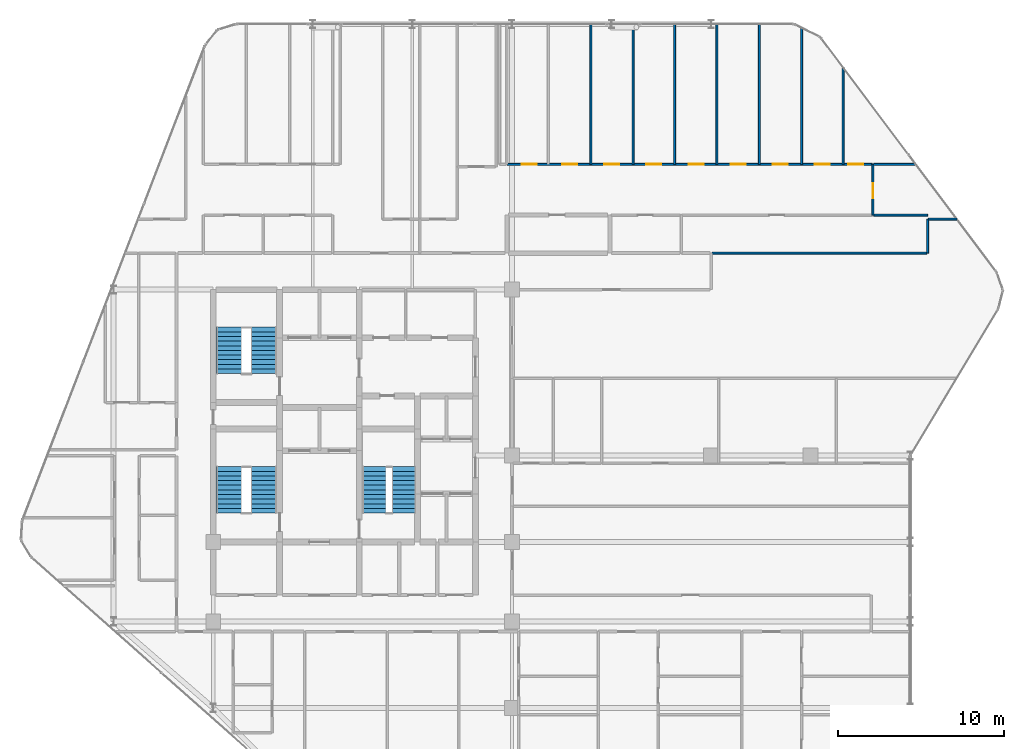
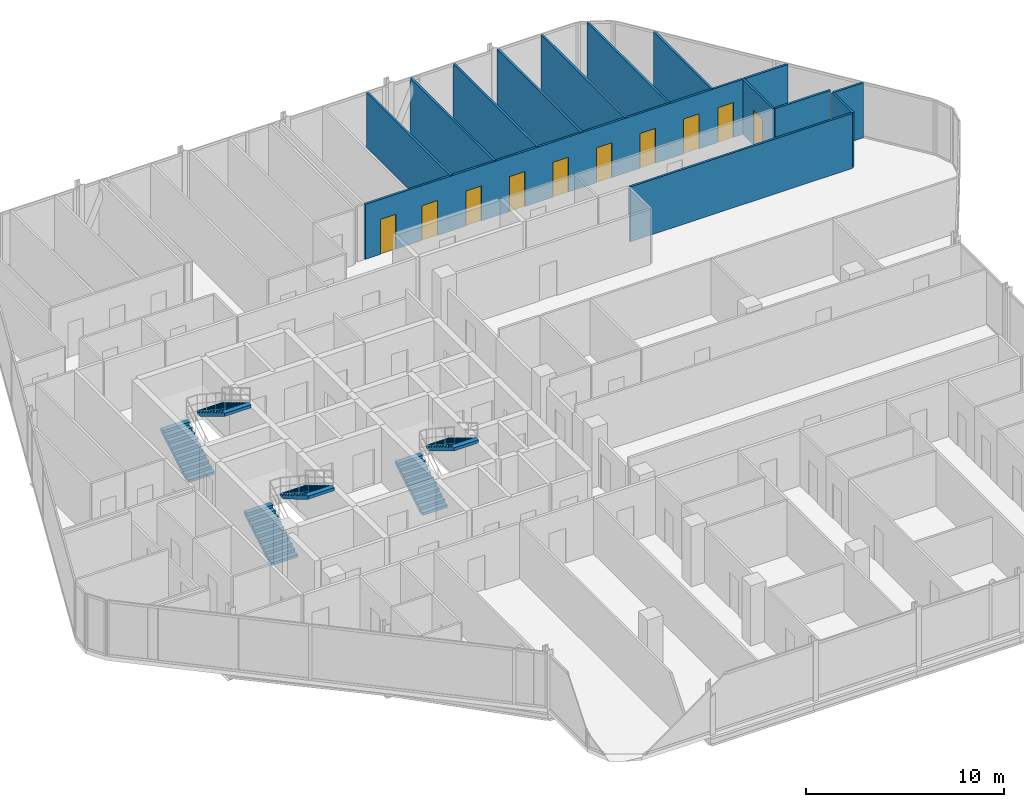
# One storey, part 30 of 31: 14 walls, 10 doors, 6 stair flights, 10 openings, 3 elements without a shape of their own.
"""IFC4 building model written with IfcOpenShell, lengths in metres."""

from ifc_helpers import new_model, si_unit, direction, frame, frame_2d, origin, place, context, subcontext, project, spatial, polyline, rectangle, outline, extrude, material, layer, layer_set, type_object, element, fill, aggregate, save


model = new_model("IFC4")

# Units and contexts
model_context = context("Model", 3, precision=1e-05, world=origin(), true_north=direction((0.0, 1.0)))
body_context = subcontext(model_context, "Body", "Model", "MODEL_VIEW")
ifc_project = project(units=[si_unit("LENGTHUNIT", "METRE"), si_unit("AREAUNIT", "SQUARE_METRE"), si_unit("VOLUMEUNIT", "CUBIC_METRE"), si_unit("PLANEANGLEUNIT", "RADIAN"), si_unit("MASSUNIT", "GRAM", prefix="KILO")], contexts=[model_context])

# Site, building, storey
site_placement = place(None, origin())
site = spatial("IfcSite", under=ifc_project, at=site_placement, CompositionType="ELEMENT")
building_placement = place(site_placement, origin())
building = spatial("IfcBuilding", under=site, at=building_placement, Name="Keshet Zoharim Tower", CompositionType="ELEMENT")
storey_placement = place(building_placement, frame((0.0, 0.0, 144.60009765625)))
storey = spatial("IfcBuildingStorey", under=building, at=storey_placement, Name="L35", CompositionType="ELEMENT", Elevation=144.60009765625)

# Walls
ifc_material_1 = material(Name="Gypsum Plasterboard", Category="gypsum")
ifc_layer = layer(ifc_material_1, 0.1201171875)
ifc_layer_set = layer_set([ifc_layer], Name="Gypsum Plasterboard")
wall_type = type_object("IfcWallType", Name="WL-PART-120", PredefinedType="PARTITIONING", material=ifc_layer_set)
for number, where, z_axis, x_axis, name in (
    (1, (37.75, 45.449951171875, 0.0), (0.0, 0.0, 1.0), (0.0, 1.0, 0.0), "L35 Interior Wall 078"),
    (2, (40.300048828125, 45.449951171875, 0.0), (0.0, 0.0, 1.0), (0.0, 1.0, 0.0), "L35 Interior Wall 084"),
    (3, (42.800048828125, 45.449951171875, 0.0), (0.0, 0.0, 1.0), (0.0, 1.0, 0.0), "L35 Interior Wall 088"),
    (4, (45.35009765625, 45.449951171875, 0.0), (0.0, 0.0, 1.0), (0.0, 1.0, 0.0), "L35 Interior Wall 091"),
    (5, (47.89990234375, 45.449951171875, 0.0), (0.0, 0.0, 1.0), (0.0, 1.0, 0.0), "L35 Interior Wall 096"),
):
    element("IfcWall", number, at=place(storey_placement, frame(where, z_axis=z_axis, x_axis=x_axis)), inside=storey, type_object=wall_type, Name=name, PredefinedType="PARTITIONING", context=body_context, shape_type="SweptSolid", body=[
        extrude(rectangle(XDim=8.43994140625, YDim=0.1201171875, at=frame_2d((4.219970703125, 0.0))), origin(), (0.0, 0.0, 1.0), 3.385009765625),
    ])
wall_1_placement = place(storey_placement, frame((50.449951171875, 45.449951171875, 0.0), z_axis=(0.0, 0.0, 1.0), x_axis=(0.0, 1.0, 0.0)))
element("IfcWall", 6, at=wall_1_placement, inside=storey, type_object=wall_type, Name="L35 Interior Wall 100", PredefinedType="PARTITIONING", context=body_context, shape_type="SweptSolid", body=[
    extrude(rectangle(XDim=8.215087890625, YDim=0.1201171875, at=frame_2d((4.107421875, 0.0))), origin(), (0.0, 0.0, 1.0), 3.385009765625),
])
wall_2_placement = place(storey_placement, frame((52.949951171875, 45.449951171875, 0.0), z_axis=(0.0, 0.0, 1.0), x_axis=(0.0, 1.0, 0.0)))
element("IfcWall", 7, at=wall_2_placement, inside=storey, type_object=wall_type, Name="L35 Interior Wall 102", PredefinedType="PARTITIONING", context=body_context, shape_type="SweptSolid", body=[
    extrude(rectangle(XDim=5.840087890625, YDim=0.1201171875, at=frame_2d((2.919921875, 0.0))), origin(), (0.0, 0.0, 1.0), 3.385009765625),
])

# Wall, opening, door
wall_3_placement = place(storey_placement, frame((54.75, 42.39990234375, 0.0), z_axis=(0.0, 0.0, 1.0), x_axis=(0.0, 1.0, 0.0)))
wall_3 = element("IfcWall", 8, at=wall_3_placement, inside=storey, type_object=wall_type, Name="L35 Interior Wall 104", PredefinedType="PARTITIONING", context=body_context, shape_type="SweptSolid", body=[
    extrude(rectangle(XDim=3.050048828125, YDim=0.1201171875, at=frame_2d((1.52490234375, 0.0))), origin(), (0.0, 0.0, 1.0), 3.385009765625),
])
opening_1_placement = place(wall_3_placement, frame((1.0029296875, 0.0, 0.0)))
opening_1 = element("IfcOpeningElement", 9, at=opening_1_placement, cuts=wall_3, Name="Opening D-IN90", PredefinedType="OPENING", context=body_context, shape_type="SweptSolid", body=[
    extrude(rectangle(XDim=0.89990234375, YDim=2.14990234375, at=frame_2d((0.449951171875, 1.074951171875))), frame((0.0, 0.070068359375, 0.0), z_axis=(0.0, -1.0, 0.0), x_axis=(1.0, 0.0, 0.0)), (0.0, 0.0, 1.0), 0.14013671875),
])
ifc_material_2 = material(Name="Hardwood Timber", Category="wood")
door_type = type_object("IfcDoorType", Name="DR-INT-090", OperationType="NOTDEFINED", PredefinedType="DOOR", material=ifc_material_2)
door_1_placement = place(opening_1_placement, origin())
door_1 = element("IfcDoor", 10, at=door_1_placement, inside=storey, type_object=door_type, Name="Apartment 3506 Private Reading Room Door", OperationType="SINGLE_SWING_RIGHT", OverallHeight=2.14990234375, OverallWidth=0.89990234375, PredefinedType="DOOR", context=body_context, shape_type="SweptSolid", body=[
    extrude(rectangle(XDim=0.89990234375, YDim=2.14990234375, at=frame_2d((0.449951171875, 1.074951171875))), frame((0.0, 0.02490234375, 0.0), z_axis=(0.0, -1.0, 0.0), x_axis=(1.0, 0.0, 0.0)), (0.0, 0.0, 1.0), 0.050048828125),
])
fill(opening_1, door_1)

# Walls
wall_4_placement = place(storey_placement, frame((58.050048828125, 40.10009765625, 0.0), z_axis=(0.0, 0.0, 1.0), x_axis=(0.0, 1.0, 0.0)))
element("IfcWall", 11, at=wall_4_placement, inside=storey, type_object=wall_type, Name="L35 Interior Wall 105", PredefinedType="PARTITIONING", context=body_context, shape_type="SweptSolid", body=[
    extrude(rectangle(XDim=2.0498046875, YDim=0.1201171875, at=frame_2d((1.02490234375, 0.0))), origin(), (0.0, 0.0, 1.0), 3.385009765625),
])
wall_5_placement = place(storey_placement, frame((45.06005859375, 40.10009765625, 0.0), z_axis=(0.0, 0.0, 1.0), x_axis=(1.0, 0.0, 0.0)))
element("IfcWall", 12, at=wall_5_placement, inside=storey, type_object=wall_type, Name="L35 Interior Wall 185", PredefinedType="PARTITIONING", context=body_context, shape_type="SweptSolid", body=[
    extrude(rectangle(XDim=12.931884765625, YDim=0.1201171875, at=frame_2d((6.4658203125, 0.0))), origin(), (0.0, 0.0, 1.0), 3.385009765625),
])
wall_6_placement = place(storey_placement, frame((58.0830078125, 42.14990234375, 0.0), z_axis=(0.0, 0.0, 1.0), x_axis=(1.0, 0.0, 0.0)))
element("IfcWall", 13, at=wall_6_placement, inside=storey, type_object=wall_type, Name="L35 Interior Wall 188", PredefinedType="PARTITIONING", context=body_context, shape_type="SweptSolid", body=[
    extrude(rectangle(XDim=1.719970703125, YDim=0.1201171875, at=frame_2d((0.85986328125, 0.0))), origin(), (0.0, 0.0, 1.0), 3.385009765625),
])
wall_7_placement = place(storey_placement, frame((54.794921875, 42.39990234375, 0.0), z_axis=(0.0, 0.0, 1.0), x_axis=(1.0, 0.0, 0.0)))
element("IfcWall", 14, at=wall_7_placement, inside=storey, type_object=wall_type, Name="L35 Interior Wall 194", PredefinedType="PARTITIONING", context=body_context, shape_type="SweptSolid", body=[
    extrude(rectangle(XDim=3.2431640625, YDim=0.1201171875, at=frame_2d((1.62158203125, 0.0))), origin(), (0.0, 0.0, 1.0), 3.385009765625),
])

# Wall, openings, doors
wall_8_placement = place(storey_placement, frame((32.72509765625, 45.449951171875, 0.0), z_axis=(0.0, 0.0, 1.0), x_axis=(1.0, 0.0, 0.0)))
wall_8 = element("IfcWall", 15, at=wall_8_placement, inside=storey, type_object=wall_type, Name="L35 Interior Wall 199", PredefinedType="PARTITIONING", context=body_context, shape_type="SweptSolid", body=[
    extrude(rectangle(XDim=21.97998046875, YDim=0.1201171875, at=frame_2d((10.989990234375, 0.0))), origin(), (0.0, 0.0, 1.0), 3.385009765625),
])
opening_2_placement = place(wall_8_placement, frame((0.8720703125, 0.0, 0.0)))
opening_2 = element("IfcOpeningElement", 16, at=opening_2_placement, cuts=wall_8, Name="Opening D-IN90", PredefinedType="OPENING", context=body_context, shape_type="SweptSolid", body=[
    extrude(rectangle(XDim=0.89990234375, YDim=2.14990234375, at=frame_2d((0.449951171875, 1.074951171875))), frame((0.0, 0.070068359375, 0.0), z_axis=(0.0, -1.0, 0.0), x_axis=(1.0, 0.0, 0.0)), (0.0, 0.0, 1.0), 0.14013671875),
])
opening_3_placement = place(wall_8_placement, frame((3.30908203125, 0.0, 0.0)))
opening_3 = element("IfcOpeningElement", 17, at=opening_3_placement, cuts=wall_8, Name="Opening D-IN90", PredefinedType="OPENING", context=body_context, shape_type="SweptSolid", body=[
    extrude(rectangle(XDim=0.89990234375, YDim=2.14990234375, at=frame_2d((0.449951171875, 1.074951171875))), frame((0.0, 0.070068359375, 0.0), z_axis=(0.0, -1.0, 0.0), x_axis=(1.0, 0.0, 0.0)), (0.0, 0.0, 1.0), 0.14013671875),
])
opening_4_placement = place(wall_8_placement, frame((5.844970703125, 0.0, 0.0)))
opening_4 = element("IfcOpeningElement", 18, at=opening_4_placement, cuts=wall_8, Name="Opening D-IN90", PredefinedType="OPENING", context=body_context, shape_type="SweptSolid", body=[
    extrude(rectangle(XDim=0.89990234375, YDim=2.14990234375, at=frame_2d((0.449951171875, 1.074951171875))), frame((0.0, 0.070068359375, 0.0), z_axis=(0.0, -1.0, 0.0), x_axis=(1.0, 0.0, 0.0)), (0.0, 0.0, 1.0), 0.14013671875),
])
opening_5_placement = place(wall_8_placement, frame((8.3798828125, 0.0, 0.0)))
opening_5 = element("IfcOpeningElement", 19, at=opening_5_placement, cuts=wall_8, Name="Opening D-IN90", PredefinedType="OPENING", context=body_context, shape_type="SweptSolid", body=[
    extrude(rectangle(XDim=0.89990234375, YDim=2.14990234375, at=frame_2d((0.449951171875, 1.074951171875))), frame((0.0, 0.070068359375, 0.0), z_axis=(0.0, -1.0, 0.0), x_axis=(1.0, 0.0, 0.0)), (0.0, 0.0, 1.0), 0.14013671875),
])
opening_6_placement = place(wall_8_placement, frame((10.916015625, 0.0, 0.0)))
opening_6 = element("IfcOpeningElement", 20, at=opening_6_placement, cuts=wall_8, Name="Opening D-IN90", PredefinedType="OPENING", context=body_context, shape_type="SweptSolid", body=[
    extrude(rectangle(XDim=0.89990234375, YDim=2.14990234375, at=frame_2d((0.449951171875, 1.074951171875))), frame((0.0, 0.070068359375, 0.0), z_axis=(0.0, -1.0, 0.0), x_axis=(1.0, 0.0, 0.0)), (0.0, 0.0, 1.0), 0.14013671875),
])
opening_7_placement = place(wall_8_placement, frame((13.451904296875, 0.0, 0.0)))
opening_7 = element("IfcOpeningElement", 21, at=opening_7_placement, cuts=wall_8, Name="Opening D-IN90", PredefinedType="OPENING", context=body_context, shape_type="SweptSolid", body=[
    extrude(rectangle(XDim=0.89990234375, YDim=2.14990234375, at=frame_2d((0.449951171875, 1.074951171875))), frame((0.0, 0.070068359375, 0.0), z_axis=(0.0, -1.0, 0.0), x_axis=(1.0, 0.0, 0.0)), (0.0, 0.0, 1.0), 0.14013671875),
])
opening_8_placement = place(wall_8_placement, frame((15.988037109375, 0.0, 0.0)))
opening_8 = element("IfcOpeningElement", 22, at=opening_8_placement, cuts=wall_8, Name="Opening D-IN90", PredefinedType="OPENING", context=body_context, shape_type="SweptSolid", body=[
    extrude(rectangle(XDim=0.89990234375, YDim=2.14990234375, at=frame_2d((0.449951171875, 1.074951171875))), frame((0.0, 0.070068359375, 0.0), z_axis=(0.0, -1.0, 0.0), x_axis=(1.0, 0.0, 0.0)), (0.0, 0.0, 1.0), 0.14013671875),
])
opening_9_placement = place(wall_8_placement, frame((18.52392578125, 0.0, 0.0)))
opening_9 = element("IfcOpeningElement", 23, at=opening_9_placement, cuts=wall_8, Name="Opening D-IN90", PredefinedType="OPENING", context=body_context, shape_type="SweptSolid", body=[
    extrude(rectangle(XDim=0.89990234375, YDim=2.14990234375, at=frame_2d((0.449951171875, 1.074951171875))), frame((0.0, 0.070068359375, 0.0), z_axis=(0.0, -1.0, 0.0), x_axis=(1.0, 0.0, 0.0)), (0.0, 0.0, 1.0), 0.14013671875),
])
opening_10_placement = place(wall_8_placement, frame((20.527099609375, 0.0, 0.0)))
opening_10 = element("IfcOpeningElement", 24, at=opening_10_placement, cuts=wall_8, Name="Opening D-IN90", PredefinedType="OPENING", context=body_context, shape_type="SweptSolid", body=[
    extrude(rectangle(XDim=0.89990234375, YDim=2.14990234375, at=frame_2d((0.449951171875, 1.074951171875))), frame((0.0, 0.070068359375, 0.0), z_axis=(0.0, -1.0, 0.0), x_axis=(1.0, 0.0, 0.0)), (0.0, 0.0, 1.0), 0.14013671875),
])
door_2_placement = place(opening_2_placement, origin())
door_2 = element("IfcDoor", 25, at=door_2_placement, inside=storey, type_object=door_type, Name="Apartment 3506 Bedroom 1 Door", OperationType="SINGLE_SWING_LEFT", OverallHeight=2.14990234375, OverallWidth=0.89990234375, PredefinedType="DOOR", context=body_context, shape_type="SweptSolid", body=[
    extrude(rectangle(XDim=0.89990234375, YDim=2.14990234375, at=frame_2d((0.449951171875, 1.074951171875))), frame((0.0, 0.02490234375, 0.0), z_axis=(0.0, -1.0, 0.0), x_axis=(1.0, 0.0, 0.0)), (0.0, 0.0, 1.0), 0.050048828125),
])
fill(opening_2, door_2)
door_3_placement = place(opening_3_placement, origin())
door_3 = element("IfcDoor", 26, at=door_3_placement, inside=storey, type_object=door_type, Name="Apartment 3506 Bedroom 2 Door", OperationType="SINGLE_SWING_RIGHT", OverallHeight=2.14990234375, OverallWidth=0.89990234375, PredefinedType="DOOR", context=body_context, shape_type="SweptSolid", body=[
    extrude(rectangle(XDim=0.89990234375, YDim=2.14990234375, at=frame_2d((0.449951171875, 1.074951171875))), frame((0.0, 0.02490234375, 0.0), z_axis=(0.0, -1.0, 0.0), x_axis=(1.0, 0.0, 0.0)), (0.0, 0.0, 1.0), 0.050048828125),
])
fill(opening_3, door_3)
door_4_placement = place(opening_4_placement, origin())
door_4 = element("IfcDoor", 27, at=door_4_placement, inside=storey, type_object=door_type, Name="Apartment 3506 Bedroom 3 Door", OperationType="SINGLE_SWING_LEFT", OverallHeight=2.14990234375, OverallWidth=0.89990234375, PredefinedType="DOOR", context=body_context, shape_type="SweptSolid", body=[
    extrude(rectangle(XDim=0.89990234375, YDim=2.14990234375, at=frame_2d((0.449951171875, 1.074951171875))), frame((0.0, 0.02490234375, 0.0), z_axis=(0.0, -1.0, 0.0), x_axis=(1.0, 0.0, 0.0)), (0.0, 0.0, 1.0), 0.050048828125),
])
fill(opening_4, door_4)
door_5_placement = place(opening_5_placement, origin())
door_5 = element("IfcDoor", 28, at=door_5_placement, inside=storey, type_object=door_type, Name="Apartment 3506 Bedroom 4 Door", OperationType="SINGLE_SWING_RIGHT", OverallHeight=2.14990234375, OverallWidth=0.89990234375, PredefinedType="DOOR", context=body_context, shape_type="SweptSolid", body=[
    extrude(rectangle(XDim=0.89990234375, YDim=2.14990234375, at=frame_2d((0.449951171875, 1.074951171875))), frame((0.0, 0.02490234375, 0.0), z_axis=(0.0, -1.0, 0.0), x_axis=(1.0, 0.0, 0.0)), (0.0, 0.0, 1.0), 0.050048828125),
])
fill(opening_5, door_5)
door_6_placement = place(opening_6_placement, origin())
door_6 = element("IfcDoor", 29, at=door_6_placement, inside=storey, type_object=door_type, Name="Apartment 3506 Bedroom 5 Door", OperationType="SINGLE_SWING_LEFT", OverallHeight=2.14990234375, OverallWidth=0.89990234375, PredefinedType="DOOR", context=body_context, shape_type="SweptSolid", body=[
    extrude(rectangle(XDim=0.89990234375, YDim=2.14990234375, at=frame_2d((0.449951171875, 1.074951171875))), frame((0.0, 0.02490234375, 0.0), z_axis=(0.0, -1.0, 0.0), x_axis=(1.0, 0.0, 0.0)), (0.0, 0.0, 1.0), 0.050048828125),
])
fill(opening_6, door_6)
door_7_placement = place(opening_7_placement, origin())
door_7 = element("IfcDoor", 30, at=door_7_placement, inside=storey, type_object=door_type, Name="Apartment 3506 Bedroom 6 Door", OperationType="SINGLE_SWING_RIGHT", OverallHeight=2.14990234375, OverallWidth=0.89990234375, PredefinedType="DOOR", context=body_context, shape_type="SweptSolid", body=[
    extrude(rectangle(XDim=0.89990234375, YDim=2.14990234375, at=frame_2d((0.449951171875, 1.074951171875))), frame((0.0, 0.02490234375, 0.0), z_axis=(0.0, -1.0, 0.0), x_axis=(1.0, 0.0, 0.0)), (0.0, 0.0, 1.0), 0.050048828125),
])
fill(opening_7, door_7)
door_8_placement = place(opening_8_placement, origin())
door_8 = element("IfcDoor", 31, at=door_8_placement, inside=storey, type_object=door_type, Name="Apartment 3506 Bedroom 7 Door", OperationType="SINGLE_SWING_LEFT", OverallHeight=2.14990234375, OverallWidth=0.89990234375, PredefinedType="DOOR", context=body_context, shape_type="SweptSolid", body=[
    extrude(rectangle(XDim=0.89990234375, YDim=2.14990234375, at=frame_2d((0.449951171875, 1.074951171875))), frame((0.0, 0.02490234375, 0.0), z_axis=(0.0, -1.0, 0.0), x_axis=(1.0, 0.0, 0.0)), (0.0, 0.0, 1.0), 0.050048828125),
])
fill(opening_8, door_8)
door_9_placement = place(opening_9_placement, origin())
door_9 = element("IfcDoor", 32, at=door_9_placement, inside=storey, type_object=door_type, Name="Apartment 3506 Bedroom 8 Door", OperationType="SINGLE_SWING_RIGHT", OverallHeight=2.14990234375, OverallWidth=0.89990234375, PredefinedType="DOOR", context=body_context, shape_type="SweptSolid", body=[
    extrude(rectangle(XDim=0.89990234375, YDim=2.14990234375, at=frame_2d((0.449951171875, 1.074951171875))), frame((0.0, 0.02490234375, 0.0), z_axis=(0.0, -1.0, 0.0), x_axis=(1.0, 0.0, 0.0)), (0.0, 0.0, 1.0), 0.050048828125),
])
fill(opening_9, door_9)
door_10_placement = place(opening_10_placement, origin())
door_10 = element("IfcDoor", 33, at=door_10_placement, inside=storey, type_object=door_type, Name="Apartment 3506 Bedroom 9 Door", OperationType="SINGLE_SWING_LEFT", OverallHeight=2.14990234375, OverallWidth=0.89990234375, PredefinedType="DOOR", context=body_context, shape_type="SweptSolid", body=[
    extrude(rectangle(XDim=0.89990234375, YDim=2.14990234375, at=frame_2d((0.449951171875, 1.074951171875))), frame((0.0, 0.02490234375, 0.0), z_axis=(0.0, -1.0, 0.0), x_axis=(1.0, 0.0, 0.0)), (0.0, 0.0, 1.0), 0.050048828125),
])
fill(opening_10, door_10)

# Wall
wall_9_placement = place(storey_placement, frame((54.794921875, 45.449951171875, 0.0), z_axis=(0.0, 0.0, 1.0), x_axis=(1.0, 0.0, 0.0)))
element("IfcWall", 34, at=wall_9_placement, inside=storey, type_object=wall_type, Name="L35 Interior Wall 200", PredefinedType="PARTITIONING", context=body_context, shape_type="SweptSolid", body=[
    extrude(rectangle(XDim=2.532958984375, YDim=0.1201171875, at=frame_2d((1.2666015625, 0.0))), origin(), (0.0, 0.0, 1.0), 3.385009765625),
])

# Stair, stair flights
ifc_material_3 = material(Name="Concrete C50/60", Category="concrete")
stair_type = type_object("IfcStairType", Name="STR-EXIT-135", PredefinedType="HALF_TURN_STAIR", material=ifc_material_3)
stair_1_placement = place(storey_placement, origin())
stair_1 = element("IfcStair", 35, at=stair_1_placement, inside=storey, type_object=stair_type, Name="L35 Enclosed Exit Stair ST-01", PredefinedType="HALF_TURN_STAIR")
stair_flight_type_1 = type_object("IfcStairFlightType", Name="FLT-PRE-135", PredefinedType="STRAIGHT", material=ifc_material_3)
stair_flight_1_placement = place(storey_placement, frame((15.945068359375, 24.43994140625, 0.0), z_axis=(0.0, 0.0, 1.0), x_axis=(0.0, 1.0, 0.0)))
stair_flight_1 = element("IfcStairFlight", 36, at=stair_flight_1_placement, type_object=stair_flight_type_1, Name="ST-01 flight 1", NumberOfRisers=11, NumberOfTreads=10, PredefinedType="STRAIGHT", RiserHeight=0.168182, TreadLength=0.28, context=body_context, shape_type="SweptSolid", body=[
    extrude(outline(polyline([(0.0, 0.0), (0.0, 0.168212890625), (0.280029296875, 0.168212890625), (0.280029296875, 0.33642578125), (0.56005859375, 0.33642578125), (0.56005859375, 0.504638671875), (0.840087890625, 0.504638671875), (0.840087890625, 0.672607421875), (1.1201171875, 0.672607421875), (1.1201171875, 0.8408203125), (1.39990234375, 0.8408203125), (1.39990234375, 1.009033203125), (1.679931640625, 1.009033203125), (1.679931640625, 1.17724609375), (1.9599609375, 1.17724609375), (1.9599609375, 1.345458984375), (2.239990234375, 1.345458984375), (2.239990234375, 1.513671875), (2.52001953125, 1.513671875), (2.52001953125, 1.681884765625), (2.800048828125, 1.681884765625), (2.800048828125, 1.85009765625), (2.800048828125, 1.495361328125), (0.310546875, 0.0), (0.0, 0.0)])), frame((0.0, 0.76513671875, 0.0), z_axis=(0.0, -1.0, 0.0), x_axis=(1.0, 0.0, 0.0)), (0.0, 0.0, 1.0), 1.530029296875),
])
stair_flight_2_placement = place(storey_placement, frame((18.054931640625, 27.239990234375, 1.849853515625), z_axis=(0.0, 0.0, 1.0), x_axis=(0.0, -1.0, 0.0)))
stair_flight_2 = element("IfcStairFlight", 37, at=stair_flight_2_placement, type_object=stair_flight_type_1, Name="ST-01 flight 2", NumberOfRisers=11, NumberOfTreads=10, PredefinedType="STRAIGHT", RiserHeight=0.168182, TreadLength=0.28, context=body_context, shape_type="SweptSolid", body=[
    extrude(outline(polyline([(0.0, 0.0), (0.0, 0.168212890625), (0.280029296875, 0.168212890625), (0.280029296875, 0.33642578125), (0.56005859375, 0.33642578125), (0.56005859375, 0.504638671875), (0.840087890625, 0.504638671875), (0.840087890625, 0.672607421875), (1.1201171875, 0.672607421875), (1.1201171875, 0.8408203125), (1.39990234375, 0.8408203125), (1.39990234375, 1.009033203125), (1.679931640625, 1.009033203125), (1.679931640625, 1.17724609375), (1.9599609375, 1.17724609375), (1.9599609375, 1.345458984375), (2.239990234375, 1.345458984375), (2.239990234375, 1.513671875), (2.52001953125, 1.513671875), (2.52001953125, 1.681884765625), (2.800048828125, 1.681884765625), (2.800048828125, 1.85009765625), (2.800048828125, 1.495361328125), (0.310546875, 0.0), (0.0, 0.0)])), frame((0.0, 0.76513671875, 0.0), z_axis=(0.0, -1.0, 0.0), x_axis=(1.0, 0.0, 0.0)), (0.0, 0.0, 1.0), 1.530029296875),
])
aggregate(stair_1, [stair_flight_1, stair_flight_2])

stair_2_placement = place(storey_placement, origin())
stair_2 = element("IfcStair", 38, at=stair_2_placement, inside=storey, type_object=stair_type, Name="L35 Enclosed Exit Stair ST-02", PredefinedType="HALF_TURN_STAIR")
stair_flight_3_placement = place(storey_placement, frame((15.945068359375, 32.840087890625, 0.0), z_axis=(0.0, 0.0, 1.0), x_axis=(0.0, 1.0, 0.0)))
stair_flight_3 = element("IfcStairFlight", 39, at=stair_flight_3_placement, type_object=stair_flight_type_1, Name="ST-02 flight 1", NumberOfRisers=11, NumberOfTreads=10, PredefinedType="STRAIGHT", RiserHeight=0.168182, TreadLength=0.28, context=body_context, shape_type="SweptSolid", body=[
    extrude(outline(polyline([(0.0, 0.0), (0.0, 0.168212890625), (0.280029296875, 0.168212890625), (0.280029296875, 0.33642578125), (0.56005859375, 0.33642578125), (0.56005859375, 0.504638671875), (0.840087890625, 0.504638671875), (0.840087890625, 0.672607421875), (1.1201171875, 0.672607421875), (1.1201171875, 0.8408203125), (1.39990234375, 0.8408203125), (1.39990234375, 1.009033203125), (1.679931640625, 1.009033203125), (1.679931640625, 1.17724609375), (1.9599609375, 1.17724609375), (1.9599609375, 1.345458984375), (2.239990234375, 1.345458984375), (2.239990234375, 1.513671875), (2.52001953125, 1.513671875), (2.52001953125, 1.681884765625), (2.800048828125, 1.681884765625), (2.800048828125, 1.85009765625), (2.800048828125, 1.495361328125), (0.310546875, 0.0), (0.0, 0.0)])), frame((0.0, 0.76513671875, 0.0), z_axis=(0.0, -1.0, 0.0), x_axis=(1.0, 0.0, 0.0)), (0.0, 0.0, 1.0), 1.530029296875),
])
stair_flight_4_placement = place(storey_placement, frame((18.054931640625, 35.639892578125, 1.849853515625), z_axis=(0.0, 0.0, 1.0), x_axis=(0.0, -1.0, 0.0)))
stair_flight_4 = element("IfcStairFlight", 40, at=stair_flight_4_placement, type_object=stair_flight_type_1, Name="ST-02 flight 2", NumberOfRisers=11, NumberOfTreads=10, PredefinedType="STRAIGHT", RiserHeight=0.168182, TreadLength=0.28, context=body_context, shape_type="SweptSolid", body=[
    extrude(outline(polyline([(0.0, 0.0), (0.0, 0.168212890625), (0.280029296875, 0.168212890625), (0.280029296875, 0.33642578125), (0.56005859375, 0.33642578125), (0.56005859375, 0.504638671875), (0.840087890625, 0.504638671875), (0.840087890625, 0.672607421875), (1.1201171875, 0.672607421875), (1.1201171875, 0.8408203125), (1.39990234375, 0.8408203125), (1.39990234375, 1.009033203125), (1.679931640625, 1.009033203125), (1.679931640625, 1.17724609375), (1.9599609375, 1.17724609375), (1.9599609375, 1.345458984375), (2.239990234375, 1.345458984375), (2.239990234375, 1.513671875), (2.52001953125, 1.513671875), (2.52001953125, 1.681884765625), (2.800048828125, 1.681884765625), (2.800048828125, 1.85009765625), (2.800048828125, 1.495361328125), (0.310546875, 0.0), (0.0, 0.0)])), frame((0.0, 0.76513671875, 0.0), z_axis=(0.0, -1.0, 0.0), x_axis=(1.0, 0.0, 0.0)), (0.0, 0.0, 1.0), 1.530029296875),
])
aggregate(stair_2, [stair_flight_3, stair_flight_4])

stair_3_placement = place(storey_placement, origin())
stair_3 = element("IfcStair", 41, at=stair_3_placement, inside=storey, type_object=stair_type, Name="L35 Enclosed Exit Stair ST-03", PredefinedType="HALF_TURN_STAIR")
stair_flight_type_2 = type_object("IfcStairFlightType", Name="FLT-PRE-144", PredefinedType="STRAIGHT", material=ifc_material_3)
stair_flight_5_placement = place(storey_placement, frame((24.699951171875, 24.43994140625, 0.0), z_axis=(0.0, 0.0, 1.0), x_axis=(0.0, 1.0, 0.0)))
stair_flight_5 = element("IfcStairFlight", 42, at=stair_flight_5_placement, type_object=stair_flight_type_2, Name="ST-03 flight 1", NumberOfRisers=11, NumberOfTreads=10, PredefinedType="STRAIGHT", RiserHeight=0.168182, TreadLength=0.28, context=body_context, shape_type="SweptSolid", body=[
    extrude(outline(polyline([(0.0, 0.0), (0.0, 0.168212890625), (0.280029296875, 0.168212890625), (0.280029296875, 0.33642578125), (0.56005859375, 0.33642578125), (0.56005859375, 0.504638671875), (0.840087890625, 0.504638671875), (0.840087890625, 0.672607421875), (1.1201171875, 0.672607421875), (1.1201171875, 0.8408203125), (1.39990234375, 0.8408203125), (1.39990234375, 1.009033203125), (1.679931640625, 1.009033203125), (1.679931640625, 1.17724609375), (1.9599609375, 1.17724609375), (1.9599609375, 1.345458984375), (2.239990234375, 1.345458984375), (2.239990234375, 1.513671875), (2.52001953125, 1.513671875), (2.52001953125, 1.681884765625), (2.800048828125, 1.681884765625), (2.800048828125, 1.85009765625), (2.800048828125, 1.495361328125), (0.310546875, 0.0), (0.0, 0.0)])), frame((0.0, 0.719970703125, 0.0), z_axis=(0.0, -1.0, 0.0), x_axis=(1.0, 0.0, 0.0)), (0.0, 0.0, 1.0), 1.43994140625),
])
stair_flight_6_placement = place(storey_placement, frame((26.5, 27.239990234375, 1.849853515625), z_axis=(0.0, 0.0, 1.0), x_axis=(0.0, -1.0, 0.0)))
stair_flight_6 = element("IfcStairFlight", 43, at=stair_flight_6_placement, type_object=stair_flight_type_2, Name="ST-03 flight 2", NumberOfRisers=11, NumberOfTreads=10, PredefinedType="STRAIGHT", RiserHeight=0.168182, TreadLength=0.28, context=body_context, shape_type="SweptSolid", body=[
    extrude(outline(polyline([(0.0, 0.0), (0.0, 0.168212890625), (0.280029296875, 0.168212890625), (0.280029296875, 0.33642578125), (0.56005859375, 0.33642578125), (0.56005859375, 0.504638671875), (0.840087890625, 0.504638671875), (0.840087890625, 0.672607421875), (1.1201171875, 0.672607421875), (1.1201171875, 0.8408203125), (1.39990234375, 0.8408203125), (1.39990234375, 1.009033203125), (1.679931640625, 1.009033203125), (1.679931640625, 1.17724609375), (1.9599609375, 1.17724609375), (1.9599609375, 1.345458984375), (2.239990234375, 1.345458984375), (2.239990234375, 1.513671875), (2.52001953125, 1.513671875), (2.52001953125, 1.681884765625), (2.800048828125, 1.681884765625), (2.800048828125, 1.85009765625), (2.800048828125, 1.495361328125), (0.310546875, 0.0), (0.0, 0.0)])), frame((0.0, 0.719970703125, 0.0), z_axis=(0.0, -1.0, 0.0), x_axis=(1.0, 0.0, 0.0)), (0.0, 0.0, 1.0), 1.43994140625),
])
aggregate(stair_3, [stair_flight_5, stair_flight_6])

save(model, "model.ifc")
